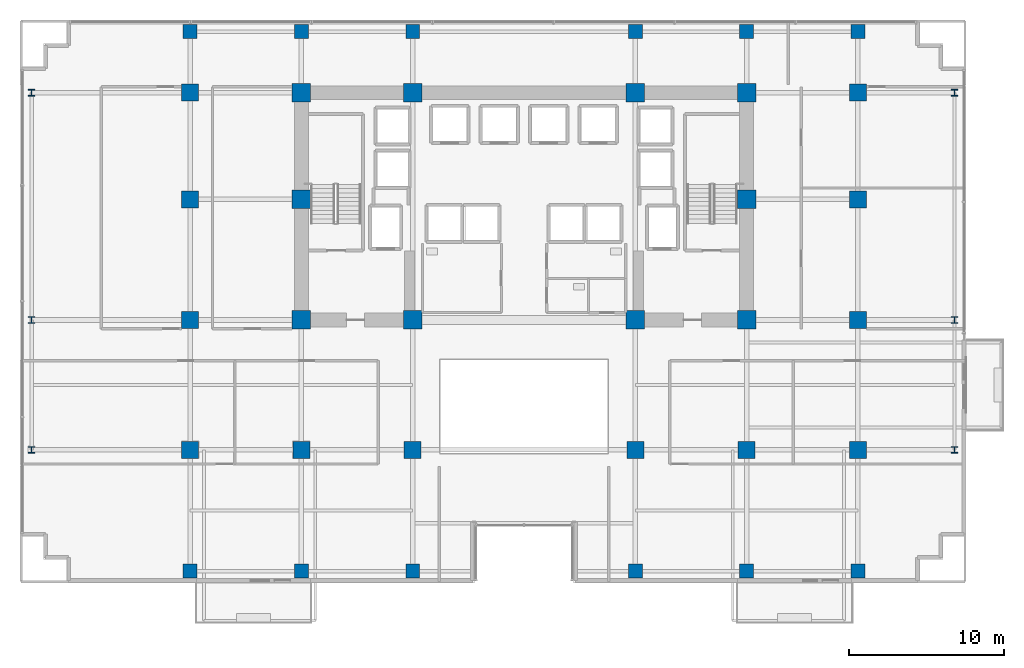
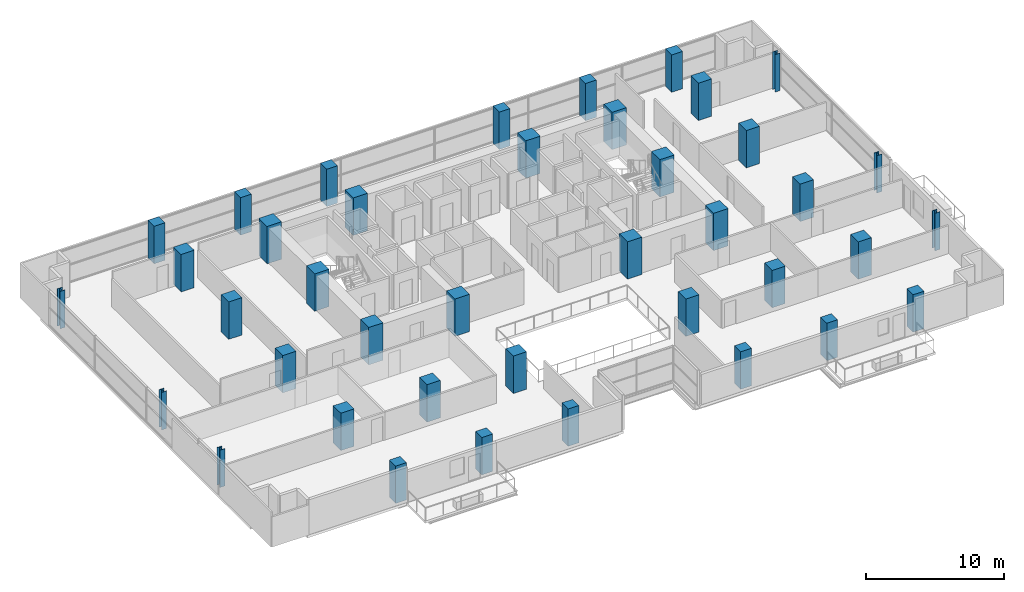
# One storey, part 1 of 29: 40 columns.
"""IFC4 building model written with IfcOpenShell, lengths in metres."""

from ifc_helpers import new_model, si_unit, direction, frame, origin, origin_2d, place, context, subcontext, project, spatial, rectangle, i_section, extrude, material, material_profile, profile_set, type_object, element, save


model = new_model("IFC4")

# Units and contexts
model_context = context("Model", 3, precision=1e-05, world=origin(), true_north=direction((0.0, 1.0)))
body_context = subcontext(model_context, "Body", "Model", "MODEL_VIEW")
ifc_project = project(units=[si_unit("LENGTHUNIT", "METRE"), si_unit("AREAUNIT", "SQUARE_METRE"), si_unit("VOLUMEUNIT", "CUBIC_METRE"), si_unit("PLANEANGLEUNIT", "RADIAN"), si_unit("MASSUNIT", "GRAM", prefix="KILO")], contexts=[model_context])

# Site, building, storey
site_placement = place(None, origin())
site = spatial("IfcSite", under=ifc_project, at=site_placement, CompositionType="ELEMENT")
building_placement = place(site_placement, origin())
building = spatial("IfcBuilding", under=site, at=building_placement, Name="Zarnakvel Exchange Tower", CompositionType="ELEMENT")
storey_placement = place(building_placement, frame((0.0, 0.0, 37.300048828125)))
storey = spatial("IfcBuildingStorey", under=building, at=storey_placement, Name="L09", CompositionType="ELEMENT", Elevation=37.300048828125)

# Columns
ifc_material_1 = material(Name="Concrete C80/95", Category="concrete")
ifc_material_profile_1 = material_profile(ifc_material_1, rectangle(XDim=1.199951171875, YDim=1.199951171875, at=origin_2d()))
ifc_profile_set_1 = profile_set([ifc_material_profile_1], Name="Concrete C80/95")
column_type_1 = type_object("IfcColumnType", Name="CC-01", PredefinedType="COLUMN", material=ifc_profile_set_1)
for number, where, z_axis, x_axis, name in (
    (1, (-14.39990234375, -1.199951171875, 0.0), (0.0, 0.0, 1.0), (1.0, 0.0, 0.0), "L09 Column C-4D (CC-01)"),
    (2, (-7.199951171875, -1.199951171875, 0.0), (0.0, 0.0, 1.0), (1.0, 0.0, 0.0), "L09 Column C-5D (CC-01)"),
    (3, (7.199951171875, -1.199951171875, 0.0), (0.0, 0.0, 1.0), (1.0, 0.0, 0.0), "L09 Column C-8D (CC-01)"),
    (4, (14.39990234375, -1.199951171875, 0.0), (0.0, 0.0, 1.0), (1.0, 0.0, 0.0), "L09 Column C-9D (CC-01)"),
    (5, (-14.39990234375, 6.60009765625, 0.0), (0.0, 0.0, 1.0), (1.0, 0.0, 0.0), "L09 Column C-4E (CC-01)"),
    (6, (14.39990234375, 6.60009765625, 0.0), (0.0, 0.0, 1.0), (1.0, 0.0, 0.0), "L09 Column C-9E (CC-01)"),
    (7, (-14.39990234375, 13.5, 0.0), (0.0, 0.0, 1.0), (1.0, 0.0, 0.0), "L09 Column C-4F (CC-01)"),
    (8, (-7.199951171875, 13.5, 0.0), (0.0, 0.0, 1.0), (1.0, 0.0, 0.0), "L09 Column C-5F (CC-01)"),
    (9, (7.199951171875, 13.5, 0.0), (0.0, 0.0, 1.0), (1.0, 0.0, 0.0), "L09 Column C-8F (CC-01)"),
    (10, (14.39990234375, 13.5, 0.0), (0.0, 0.0, 1.0), (1.0, 0.0, 0.0), "L09 Column C-9F (CC-01)"),
):
    element("IfcColumn", number, at=place(storey_placement, frame(where, z_axis=z_axis, x_axis=x_axis)), inside=storey, type_object=column_type_1, Name=name, PredefinedType="COLUMN", context=body_context, shape_type="SweptSolid", body=[
        extrude(rectangle(XDim=1.199951171875, YDim=1.199951171875, at=origin_2d()), origin(), (0.0, 0.0, 1.0), 3.300048828125),
    ])
ifc_material_2 = material(Name="Steel S355", Category="steel")
ifc_material_profile_2 = material_profile(ifc_material_2, i_section(OverallWidth=0.412109375, OverallDepth=0.425048828125, WebThickness=0.02587890625, FlangeThickness=0.0390625, FilletRadius=0.014892578125, at=origin_2d()))
ifc_profile_set_2 = profile_set([ifc_material_profile_2], Name="Steel S355")
column_type_2 = type_object("IfcColumnType", Name="SC-01", PredefinedType="COLUMN", material=ifc_profile_set_2)
for number, where, z_axis, x_axis, name in (
    (11, (-31.85009765625, -9.60009765625, 0.0), (0.0, 0.0, 1.0), (1.0, 0.0, 0.0), "L09 Column TW-C (SC-01)"),
    (12, (27.85009765625, -9.60009765625, 0.0), (0.0, 0.0, 1.0), (1.0, 0.0, 0.0), "L09 Column TE-C (SC-01)"),
    (13, (-31.85009765625, -1.199951171875, 0.0), (0.0, 0.0, 1.0), (1.0, 0.0, 0.0), "L09 Column TW-D (SC-01)"),
    (14, (27.85009765625, -1.199951171875, 0.0), (0.0, 0.0, 1.0), (1.0, 0.0, 0.0), "L09 Column TE-D (SC-01)"),
    (15, (-31.85009765625, 13.5, 0.0), (0.0, 0.0, 1.0), (1.0, 0.0, 0.0), "L09 Column TW-F (SC-01)"),
    (16, (27.85009765625, 13.5, 0.0), (0.0, 0.0, 1.0), (1.0, 0.0, 0.0), "L09 Column TE-F (SC-01)"),
):
    element("IfcColumn", number, at=place(storey_placement, frame(where, z_axis=z_axis, x_axis=x_axis)), inside=storey, type_object=column_type_2, Name=name, PredefinedType="COLUMN", context=body_context, shape_type="SweptSolid", body=[
        extrude(i_section(OverallWidth=0.412109375, OverallDepth=0.425048828125, WebThickness=0.02587890625, FlangeThickness=0.0390625, FilletRadius=0.014892578125, at=origin_2d()), origin(), (0.0, 0.0, 1.0), 3.300048828125),
    ])
ifc_material_profile_3 = material_profile(ifc_material_1, rectangle(XDim=1.10009765625, YDim=1.10009765625, at=origin_2d()))
ifc_profile_set_3 = profile_set([ifc_material_profile_3], Name="Concrete C80/95")
column_type_3 = type_object("IfcColumnType", Name="TC-01", PredefinedType="COLUMN", material=ifc_profile_set_3)
for number, where, z_axis, x_axis, name in (
    (17, (-14.39990234375, -9.60009765625, 0.0), (0.0, 0.0, 1.0), (1.0, 0.0, 0.0), "L09 Column T-4C (TC-01)"),
    (18, (-7.199951171875, -9.60009765625, 0.0), (0.0, 0.0, 1.0), (1.0, 0.0, 0.0), "L09 Column T-5C (TC-01)"),
    (19, (7.199951171875, -9.60009765625, 0.0), (0.0, 0.0, 1.0), (1.0, 0.0, 0.0), "L09 Column T-8C (TC-01)"),
    (20, (14.39990234375, -9.60009765625, 0.0), (0.0, 0.0, 1.0), (1.0, 0.0, 0.0), "L09 Column T-9C (TC-01)"),
    (21, (-21.60009765625, -9.60009765625, 0.0), (0.0, 0.0, 1.0), (1.0, 0.0, 0.0), "L09 Column T-3C (TC-01)"),
    (22, (-21.60009765625, -1.199951171875, 0.0), (0.0, 0.0, 1.0), (1.0, 0.0, 0.0), "L09 Column T-3D (TC-01)"),
    (23, (-21.60009765625, 6.60009765625, 0.0), (0.0, 0.0, 1.0), (1.0, 0.0, 0.0), "L09 Column T-3E (TC-01)"),
    (24, (-21.60009765625, 13.5, 0.0), (0.0, 0.0, 1.0), (1.0, 0.0, 0.0), "L09 Column T-3F (TC-01)"),
    (25, (21.60009765625, -9.60009765625, 0.0), (0.0, 0.0, 1.0), (1.0, 0.0, 0.0), "L09 Column T-10C (TC-01)"),
    (26, (21.60009765625, -1.199951171875, 0.0), (0.0, 0.0, 1.0), (1.0, 0.0, 0.0), "L09 Column T-10D (TC-01)"),
    (27, (21.60009765625, 6.60009765625, 0.0), (0.0, 0.0, 1.0), (1.0, 0.0, 0.0), "L09 Column T-10E (TC-01)"),
    (28, (21.60009765625, 13.5, 0.0), (0.0, 0.0, 1.0), (1.0, 0.0, 0.0), "L09 Column T-10F (TC-01)"),
):
    element("IfcColumn", number, at=place(storey_placement, frame(where, z_axis=z_axis, x_axis=x_axis)), inside=storey, type_object=column_type_3, Name=name, PredefinedType="COLUMN", context=body_context, shape_type="SweptSolid", body=[
        extrude(rectangle(XDim=1.10009765625, YDim=1.10009765625, at=origin_2d()), origin(), (0.0, 0.0, 1.0), 3.300048828125),
    ])
ifc_material_3 = material(Name="Concrete C60/75", Category="concrete")
ifc_material_profile_4 = material_profile(ifc_material_3, rectangle(XDim=0.89990234375, YDim=0.89990234375, at=origin_2d()))
ifc_profile_set_4 = profile_set([ifc_material_profile_4], Name="Concrete C60/75")
column_type_4 = type_object("IfcColumnType", Name="TC-02", PredefinedType="COLUMN", material=ifc_profile_set_4)
for number, where, z_axis, x_axis, name in (
    (29, (-14.39990234375, -17.449951171875, 0.0), (0.0, 0.0, 1.0), (1.0, 0.0, 0.0), "L09 Column TS-4 (TC-02)"),
    (30, (-14.39990234375, 17.449951171875, 0.0), (0.0, 0.0, 1.0), (1.0, 0.0, 0.0), "L09 Column TN-4 (TC-02)"),
    (31, (-7.199951171875, -17.449951171875, 0.0), (0.0, 0.0, 1.0), (1.0, 0.0, 0.0), "L09 Column TS-5 (TC-02)"),
    (32, (-7.199951171875, 17.449951171875, 0.0), (0.0, 0.0, 1.0), (1.0, 0.0, 0.0), "L09 Column TN-5 (TC-02)"),
    (33, (7.199951171875, -17.449951171875, 0.0), (0.0, 0.0, 1.0), (1.0, 0.0, 0.0), "L09 Column TS-8 (TC-02)"),
    (34, (7.199951171875, 17.449951171875, 0.0), (0.0, 0.0, 1.0), (1.0, 0.0, 0.0), "L09 Column TN-8 (TC-02)"),
    (35, (14.39990234375, -17.449951171875, 0.0), (0.0, 0.0, 1.0), (1.0, 0.0, 0.0), "L09 Column TS-9 (TC-02)"),
    (36, (14.39990234375, 17.449951171875, 0.0), (0.0, 0.0, 1.0), (1.0, 0.0, 0.0), "L09 Column TN-9 (TC-02)"),
    (37, (-21.60009765625, -17.449951171875, 0.0), (0.0, 0.0, 1.0), (1.0, 0.0, 0.0), "L09 Column TS-3 (TC-02)"),
    (38, (-21.60009765625, 17.449951171875, 0.0), (0.0, 0.0, 1.0), (1.0, 0.0, 0.0), "L09 Column TN-3 (TC-02)"),
    (39, (21.60009765625, -17.449951171875, 0.0), (0.0, 0.0, 1.0), (1.0, 0.0, 0.0), "L09 Column TS-10 (TC-02)"),
    (40, (21.60009765625, 17.449951171875, 0.0), (0.0, 0.0, 1.0), (1.0, 0.0, 0.0), "L09 Column TN-10 (TC-02)"),
):
    element("IfcColumn", number, at=place(storey_placement, frame(where, z_axis=z_axis, x_axis=x_axis)), inside=storey, type_object=column_type_4, Name=name, PredefinedType="COLUMN", context=body_context, shape_type="SweptSolid", body=[
        extrude(rectangle(XDim=0.89990234375, YDim=0.89990234375, at=origin_2d()), origin(), (0.0, 0.0, 1.0), 3.300048828125),
    ])

save(model, "model.ifc")
